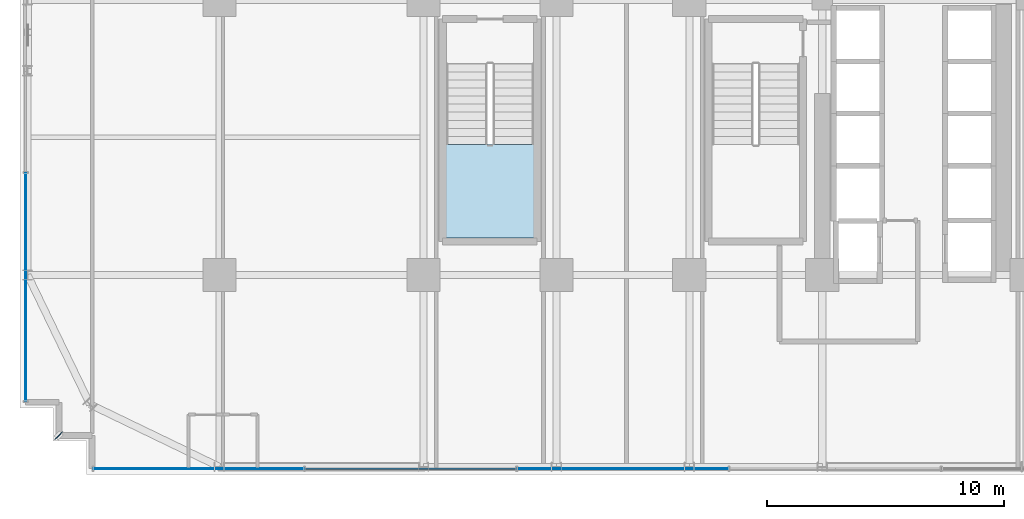
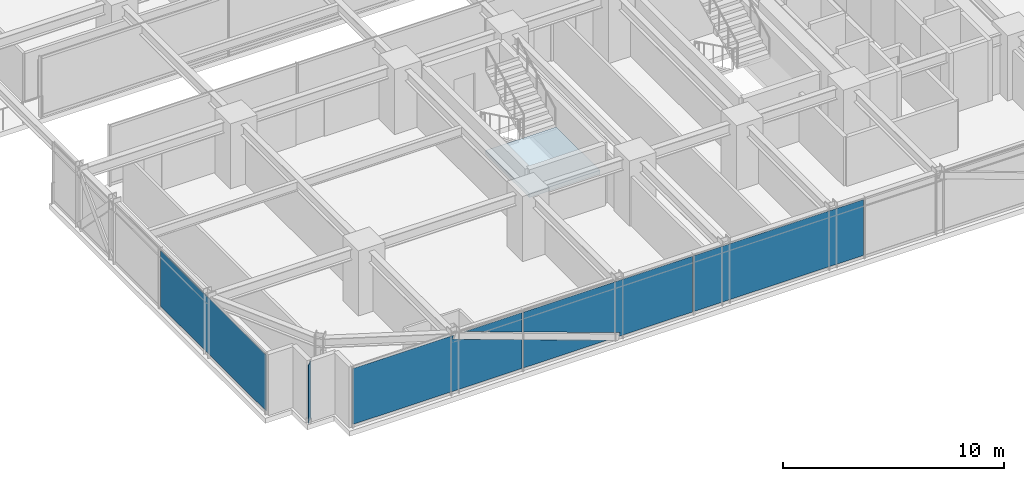
# One storey, part 34 of 47: 5 plates, 1 slab, 3 elements without a shape of their own.
"""IFC4 building model written with IfcOpenShell, lengths in metres."""

from ifc_helpers import new_model, si_unit, direction, frame, origin, origin_2d, place, context, subcontext, project, spatial, polyline, rectangle, outline, extrude, source, transform, mapped, material, layer, layer_set, type_object, element, aggregate, save


model = new_model("IFC4")

# Units and contexts
model_context = context("Model", 3, precision=1e-05, world=origin(), true_north=direction((0.0, 1.0)))
body_context = subcontext(model_context, "Body", "Model", "MODEL_VIEW")
ifc_project = project(units=[si_unit("LENGTHUNIT", "METRE"), si_unit("AREAUNIT", "SQUARE_METRE"), si_unit("VOLUMEUNIT", "CUBIC_METRE"), si_unit("PLANEANGLEUNIT", "RADIAN"), si_unit("MASSUNIT", "GRAM", prefix="KILO")], contexts=[model_context])

# Site, building, storey
site_placement = place(None, origin())
site = spatial("IfcSite", under=ifc_project, at=site_placement, CompositionType="ELEMENT")
building_placement = place(site_placement, origin())
building = spatial("IfcBuilding", under=site, at=building_placement, Name="Nahalor Promenade Grand Hotel", CompositionType="ELEMENT")
storey_placement = place(building_placement, frame((0.0, 0.0, 68.89990234375)))
storey = spatial("IfcBuildingStorey", under=building, at=storey_placement, Name="L16", CompositionType="ELEMENT", Elevation=68.89990234375)

# Curtain wall, plates
ifc_material_1 = material(Name="Anodised Bronze Aluminium EN AW-6063 T6", Category="aluminium")
curtain_wall_type = type_object("IfcCurtainWallType", Name="CW3 Elliptical-Void Collar Unitised Curtain Wall", PredefinedType="USERDEFINED", material=ifc_material_1)
curtain_wall_1_placement = place(storey_placement, origin())
curtain_wall_1 = element("IfcCurtainWall", 1, at=curtain_wall_1_placement, inside=storey, type_object=curtain_wall_type, Name="L16 Curtain Wall CW-L16-S-1", ObjectType="UNITISED_CURTAIN_WALL", PredefinedType="USERDEFINED")
ifc_material_2 = material(Name="Low-E Laminated Solar Glass", Category="glass")
ifc_layer_1 = layer(ifc_material_2, 0.030029296875)
ifc_layer_set_1 = layer_set([ifc_layer_1], Name="Low-E Laminated Solar Glass")
plate_type_1 = type_object("IfcPlateType", Name="CWP3 High-Wind Laminated Bronze IGU 30mm", PredefinedType="CURTAIN_PANEL", material=ifc_layer_set_1)
plate_1_placement = place(storey_placement, frame((-17.87060546875, -25.159912109375, 0.14013671875), z_axis=(0.0, 0.0, 1.0), x_axis=(1.0, 0.0, 0.0)))
plate_1 = element("IfcPlate", 2, at=plate_1_placement, type_object=plate_type_1, Name="CW-L16-S-1 Glazing Panel 0-0", PredefinedType="CURTAIN_PANEL", context=body_context, shape_type="SweptSolid", body=[
    extrude(outline(polyline([(-4.41943359375, 0.0), (4.41943359375, 0.0), (4.41943359375, 1.600830078125), (0.77978515625, 2.900146484375), (0.847412109375, 3.090087890625), (-4.41943359375, 3.090087890625), (-4.41943359375, 0.0)])), frame((0.0, 0.01513671875, 0.0), z_axis=(0.0, -1.0, 0.0), x_axis=(1.0, 0.0, 0.0)), (0.0, 0.0, 1.0), 0.030029296875),
    extrude(outline(polyline([(4.41943359375, 2.025390625), (4.41943359375, 3.090087890625), (1.437255859375, 3.090087890625), (4.41943359375, 2.025390625)])), frame((0.0, 0.01513671875, 0.0), z_axis=(0.0, -1.0, 0.0), x_axis=(1.0, 0.0, 0.0)), (0.0, 0.0, 1.0), 0.030029296875),
])
plate_2_placement = place(storey_placement, frame((-8.944091796875, -25.159912109375, 0.14013671875), z_axis=(0.0, 0.0, 1.0), x_axis=(1.0, 0.0, 0.0)))
plate_2 = element("IfcPlate", 3, at=plate_2_placement, type_object=plate_type_1, Name="CW-L16-S-1 Glazing Panel 1-0", PredefinedType="CURTAIN_PANEL", context=body_context, shape_type="SweptSolid", body=[
    extrude(outline(polyline([(4.43701171875, 3.090087890625), (-4.43701171875, 3.090087890625), (-4.43701171875, 2.00048828125), (0.634765625, 0.18994140625), (0.56689453125, 0.0), (4.43701171875, 0.0), (4.43701171875, 3.090087890625)])), frame((0.0, 0.01513671875, 0.0), z_axis=(0.0, -1.0, 0.0), x_axis=(1.0, 0.0, 0.0)), (0.0, 0.0, 1.0), 0.030029296875),
    extrude(outline(polyline([(-4.43701171875, 1.57568359375), (-4.43701171875, 0.0), (-0.02294921875, 0.0), (-4.43701171875, 1.57568359375)])), frame((0.0, 0.01513671875, 0.0), z_axis=(0.0, -1.0, 0.0), x_axis=(1.0, 0.0, 0.0)), (0.0, 0.0, 1.0), 0.030029296875),
])

# Stair, slab
ifc_material_3 = material(Name="Concrete B-50 (C40/50)", Category="concrete")
stair_type = type_object("IfcStairType", Name="Stair-ST3", PredefinedType="HALF_TURN_STAIR", material=ifc_material_3)
stair_placement = place(storey_placement, origin())
stair = element("IfcStair", 4, at=stair_placement, inside=storey, type_object=stair_type, Name="L16 ST3", PredefinedType="HALF_TURN_STAIR")
ifc_layer_2 = layer(ifc_material_3, 0.219970703125)
ifc_layer_set_2 = layer_set([ifc_layer_2], Name="Concrete B-50 (C40/50)")
slab_type = type_object("IfcSlabType", Name="Landing-ST3", PredefinedType="LANDING", material=ifc_layer_set_2)
slab_placement = place(storey_placement, frame((0.0, 0.0, 1.60498046875)))
slab = element("IfcSlab", 5, at=slab_placement, type_object=slab_type, Name="ST3 landing 1", PredefinedType="LANDING", context=body_context, shape_type="SweptSolid", body=[
    extrude(outline(polyline([(-7.449951171875, -11.5), (-7.449951171875, -15.449951171875), (-3.75, -15.449951171875), (-3.75, -11.5), (-7.449951171875, -11.5)])), origin(), (0.0, 0.0, 1.0), 0.22021484375),
])
aggregate(stair, [slab])

# Plate
shared_shape_1 = source(origin(), body_context, "Body", "SweptSolid", [
    extrude(rectangle(XDim=8.8740234375, YDim=0.030029296875, at=origin_2d()), origin(), (0.0, 0.0, 1.0), 3.090087890625),
])
plate_3_placement = place(storey_placement, frame((0.0, -25.159912109375, 0.14013671875), z_axis=(0.0, 0.0, 1.0), x_axis=(1.0, 0.0, 0.0)))
plate_3 = element("IfcPlate", 6, at=plate_3_placement, type_object=plate_type_1, Name="CW-L16-S-1 Glazing Panel 2-0", PredefinedType="CURTAIN_PANEL", context=body_context, shape_type="MappedRepresentation", body=[
    mapped(shared_shape_1, transform((0.0, 0.0, 0.0), scale=1.0)),
])

aggregate(curtain_wall_1, [plate_1, plate_2, plate_3])

# Curtain wall, plate
curtain_wall_2_placement = place(storey_placement, origin())
curtain_wall_2 = element("IfcCurtainWall", 7, at=curtain_wall_2_placement, inside=storey, type_object=curtain_wall_type, Name="L16 Curtain Wall CW-L16-W-1", ObjectType="UNITISED_CURTAIN_WALL", PredefinedType="USERDEFINED")
shared_shape_2 = source(origin(), body_context, "Body", "SweptSolid", [
    extrude(rectangle(XDim=9.575439453125, YDim=0.030029296875, at=origin_2d()), origin(), (0.0, 0.0, 1.0), 3.090087890625),
])
plate_4_placement = place(storey_placement, frame((-25.159912109375, -17.502197265625, 0.14013671875), z_axis=(0.0, 0.0, 1.0), x_axis=(0.0, 1.0, 0.0)))
plate_4 = element("IfcPlate", 8, at=plate_4_placement, type_object=plate_type_1, Name="CW-L16-W-1 Glazing Panel 0-0", PredefinedType="CURTAIN_PANEL", context=body_context, shape_type="MappedRepresentation", body=[
    mapped(shared_shape_2, transform((0.0, 0.0, 0.0), scale=1.0)),
])
aggregate(curtain_wall_2, [plate_4])

# Plate
ifc_layer_3 = layer(ifc_material_1, 0.02001953125)
ifc_layer_set_3 = layer_set([ifc_layer_3], Name="Anodised Bronze Aluminium EN AW-6063 T6")
plate_type_2 = type_object("IfcPlateType", Name="Plate-CornerFin-20", PredefinedType="SHEET", material=ifc_layer_set_3)
shared_shape_3 = source(origin(), body_context, "Body", "SweptSolid", [
    extrude(rectangle(XDim=0.449951171875, YDim=0.02001953125, at=origin_2d()), origin(), (0.0, 0.0, 1.0), 3.199951171875),
])
plate_5_placement = place(storey_placement, frame((-23.760009765625, -23.760009765625, 0.0), z_axis=(0.0, 0.0, 1.0), x_axis=(0.707106781187, 0.707106781187, 0.0)))
element("IfcPlate", 9, at=plate_5_placement, inside=storey, type_object=plate_type_2, Name="FIN-L16-SW", PredefinedType="SHEET", context=body_context, shape_type="MappedRepresentation", body=[
    mapped(shared_shape_3, transform((0.0, 0.0, 0.0), scale=1.0)),
])

save(model, "model.ifc")
